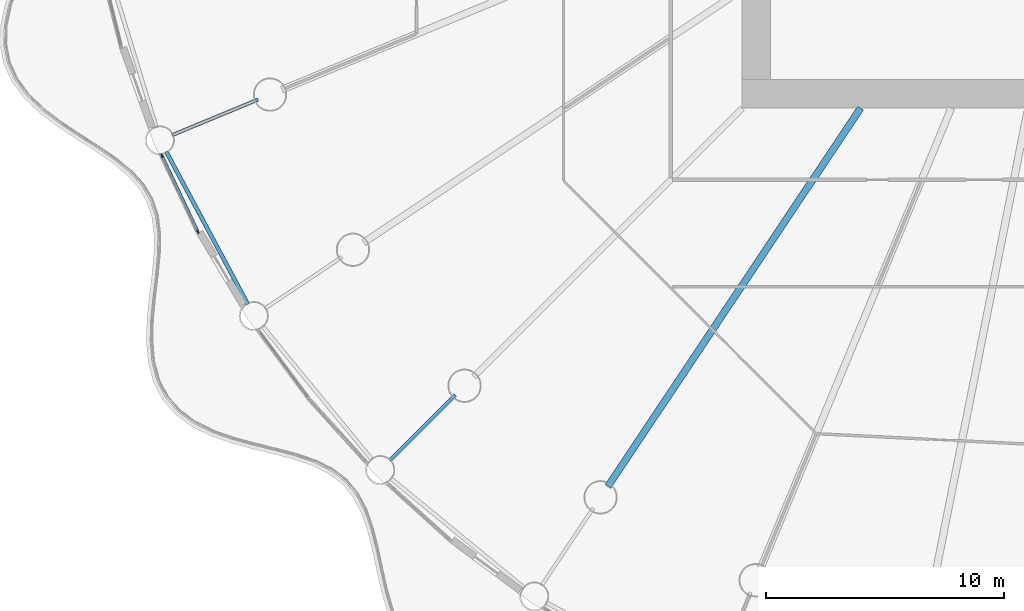
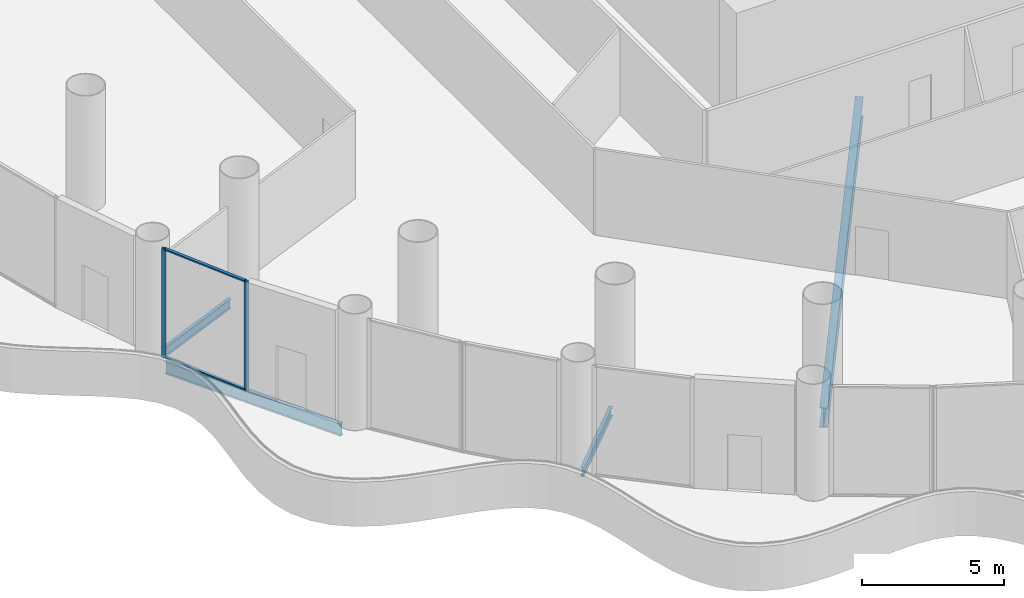
# One storey, part 3 of 35: 4 beams, 4 members, 1 element without a shape of its own.
"""IFC4 building model written with IfcOpenShell, lengths in metres."""

import ifcopenshell
import ifcopenshell.guid

model = None  # the IFC model being written
_history = None  # IfcOwnerHistory: only IFC2X3 demands one
_inside = {}  # id of a spatial element -> (the spatial element, [elements in it])
_under = {}  # id of a project, library or spatial element -> (it, [spatial elements below it])
_declared = {}  # id of a project -> (the project, [libraries it declares])
_typed = {}  # id of a type object -> (the type object, [elements of that type])
_made_of = {}  # id of a material, layer set ... -> (it, [elements and type objects made of it])


def new_model(schema):
    """Start an empty IFC model of exactly this schema.

    Asked for "IFC4X3", IfcOpenShell would pick the latest addendum, in which some entities
    have other attributes; the version numbers below select the first issue.
    IFC2X3 requires an IfcOwnerHistory on every rooted entity: one is made here for all.
    """
    global model, _history
    if schema == "IFC4X3":
        model = ifcopenshell.file(schema_version=(4, 3, 0, 0))
    else:
        model = ifcopenshell.file(schema=schema)
    _inside.clear()
    _under.clear()
    _declared.clear()
    _typed.clear()
    _made_of.clear()
    _history = None
    if model.schema == "IFC2X3":
        org = make("IfcOrganization", Name="unknown")
        user = make(
            "IfcPersonAndOrganization",
            ThePerson=make("IfcPerson", FamilyName="unknown"),
            TheOrganization=org,
        )
        app = make(
            "IfcApplication",
            ApplicationDeveloper=org,
            Version="unknown",
            ApplicationFullName="unknown",
            ApplicationIdentifier="unknown",
        )
        _history = make(
            "IfcOwnerHistory",
            OwningUser=user,
            OwningApplication=app,
            ChangeAction="ADDED",
            CreationDate=0,
        )
    return model


def make(cls, **values):
    """One entity of the class cls with the attributes given. An attribute that is None is left unset."""
    return model.create_entity(
        cls, **{name: value for name, value in values.items() if value is not None}
    )


def rooted(cls, **values):
    """An entity with a GlobalId (a new one), such as an element, a storey or a relation."""
    return make(cls, GlobalId=ifcopenshell.guid.new(), OwnerHistory=_history, **values)


def si_unit(unit_type, name, prefix=None):
    """IfcSIUnit, for example si_unit("LENGTHUNIT", "METRE", prefix="MILLI")."""
    return make("IfcSIUnit", UnitType=unit_type, Prefix=prefix, Name=name)


def assignment(units):
    """IfcUnitAssignment: the units of a project."""
    return None if units is None else make("IfcUnitAssignment", Units=units)


def point(xyz):
    """IfcCartesianPoint."""
    return None if xyz is None else make("IfcCartesianPoint", Coordinates=xyz)


def direction(xyz):
    """IfcDirection."""
    return None if xyz is None else make("IfcDirection", DirectionRatios=xyz)


def frame(location, z_axis=None, x_axis=None):
    """IfcAxis2Placement3D, a coordinate frame: its origin and axes. An axis left out is left unset."""
    return make(
        "IfcAxis2Placement3D",
        Location=point(location),
        Axis=direction(z_axis),
        RefDirection=direction(x_axis),
    )


def frame_2d(location, x_axis=None):
    """IfcAxis2Placement2D, a coordinate frame in the plane: its origin and x axis."""
    return make(
        "IfcAxis2Placement2D", Location=point(location), RefDirection=direction(x_axis)
    )


def origin():
    """The frame at (0, 0, 0) with its axes left unset."""
    return frame((0.0, 0.0, 0.0))


def origin_2d():
    """The frame at (0, 0) in the plane with its x axis left unset."""
    return frame_2d((0.0, 0.0))


def place(relative_to, where):
    """IfcLocalPlacement: puts the frame where relative to a parent placement (None: the world)."""
    return make(
        "IfcLocalPlacement", PlacementRelTo=relative_to, RelativePlacement=where
    )


def context(
    kind, dimensions, precision=None, world=None, true_north=None, identifier=None
):
    """IfcGeometricRepresentationContext, for example the 3D "Model" context."""
    return make(
        "IfcGeometricRepresentationContext",
        ContextIdentifier=identifier,
        ContextType=kind,
        CoordinateSpaceDimension=dimensions,
        Precision=precision,
        WorldCoordinateSystem=world,
        TrueNorth=true_north,
    )


def subcontext(parent, identifier, kind, view, scale=None):
    """IfcGeometricRepresentationSubContext, for example "Body" below "Model"."""
    return make(
        "IfcGeometricRepresentationSubContext",
        ContextIdentifier=identifier,
        ContextType=kind,
        ParentContext=parent,
        TargetScale=scale,
        TargetView=view,
    )


def project(units=None, contexts=None):
    """IfcProject with its units and contexts."""
    return rooted(
        "IfcProject",
        Name="project",
        RepresentationContexts=contexts,
        UnitsInContext=assignment(units),
    )


def spatial(cls, under=None, at=None, **own):
    """A site, building, storey or space (cls), placed at a placement, below another one or the project."""
    s = rooted(cls, ObjectPlacement=at, **own)
    if under is not None:
        _under.setdefault(under.id(), (under, []))[1].append(s)
    return s


def profile(cls, at=None, kind="AREA", **sizes):
    """A parametric profile (cls). Its sizes go by their IFC names, for example OverallWidth=200.0."""
    return make(cls, ProfileType=kind, Position=at, **sizes)


def rectangle(**sizes):
    """IfcRectangleProfileDef."""
    return profile("IfcRectangleProfileDef", **sizes)


def i_section(**sizes):
    """IfcIShapeProfileDef."""
    return profile("IfcIShapeProfileDef", **sizes)


def extrude(swept, where, along, depth):
    """IfcExtrudedAreaSolid: the profile swept, set in the frame where, extruded along a direction by depth."""
    return make(
        "IfcExtrudedAreaSolid",
        SweptArea=swept,
        Position=where,
        ExtrudedDirection=direction(along),
        Depth=depth,
    )


def shape(context_of_items, identifier, shape_type, items):
    """IfcShapeRepresentation: the items that make up one representation, for example the "Body"."""
    return make(
        "IfcShapeRepresentation",
        ContextOfItems=context_of_items,
        RepresentationIdentifier=identifier,
        RepresentationType=shape_type,
        Items=items,
    )


def material(Name=None, Category=None):
    """IfcMaterial."""
    return make("IfcMaterial", Name=Name, Category=Category)


def material_profile(
    of_material, cross_section, Name=None, Category=None, Priority=None
):
    """IfcMaterialProfile: a cross section and its material."""
    return make(
        "IfcMaterialProfile",
        Name=Name,
        Material=of_material,
        Profile=cross_section,
        Priority=Priority,
        Category=Category,
    )


def profile_set(profiles, Name=None, composite=None):
    """IfcMaterialProfileSet."""
    return make(
        "IfcMaterialProfileSet",
        Name=Name,
        MaterialProfiles=profiles,
        CompositeProfile=composite,
    )


def made_of(thing, what):
    """Note that an element or type object is made of a material, layer set ...; save() writes the relation."""
    if what is not None:
        _made_of.setdefault(what.id(), (what, []))[1].append(thing)
    return thing


def type_object(cls, material=None, **own):
    """A type object (cls), such as IfcWallType, which elements share."""
    return made_of(rooted(cls, **own), material)


def element(
    cls,
    number,
    at=None,
    inside=None,
    cuts=None,
    type_object=None,
    material=None,
    context=None,
    identifier="Body",
    shape_type=None,
    held_by="IfcProductDefinitionShape",
    body=None,
    shapes=None,
    **own,
):
    """One element of the class cls, such as IfcWall. Its Tag is "e" and its number.

    at: its placement. inside: the storey or other place that contains it. cuts: it is an
    opening in that element (IfcRelVoidsElement). A single representation is given by context,
    identifier, shape_type and body (its items); several are given by shapes. held_by: the class
    of the entity that holds the representations. save() writes the other relations.
    """
    e = rooted(cls, Tag="e%d" % number, ObjectPlacement=at, **own)
    if body is not None:
        shapes = [shape(context, identifier, shape_type, body)]
    if shapes is not None:
        e.Representation = make(held_by, Representations=shapes)
    if inside is not None:
        _inside.setdefault(inside.id(), (inside, []))[1].append(e)
    if cuts is not None:
        rooted(
            "IfcRelVoidsElement", RelatingBuildingElement=cuts, RelatedOpeningElement=e
        )
    if type_object is not None:
        _typed.setdefault(type_object.id(), (type_object, []))[1].append(e)
    return made_of(e, material)


def aggregate(whole, parts):
    """IfcRelAggregates: a whole, such as a stair, and the parts it consists of."""
    return rooted("IfcRelAggregates", RelatingObject=whole, RelatedObjects=parts)


def save(model, path):
    """Write the relations noted so far, then the file.

    IfcRelAggregates (storeys below a building ...), IfcRelContainedInSpatialStructure (elements
    in a storey), IfcRelDefinesByType, IfcRelAssociatesMaterial and IfcRelDeclares: one each for
    every whole, place, type object, material and project.
    """
    for whole, parts in _under.values():
        aggregate(whole, parts)
    for where, things in _inside.values():
        rooted(
            "IfcRelContainedInSpatialStructure",
            RelatedElements=things,
            RelatingStructure=where,
        )
    for kind, things in _typed.values():
        rooted("IfcRelDefinesByType", RelatedObjects=things, RelatingType=kind)
    for what, things in _made_of.values():
        rooted("IfcRelAssociatesMaterial", RelatedObjects=things, RelatingMaterial=what)
    for by, libraries in _declared.values():
        rooted("IfcRelDeclares", RelatingContext=by, RelatedDefinitions=libraries)
    model.write(path)


model = new_model("IFC4")

# Units and contexts
model_context = context("Model", 3, precision=1e-05, world=origin(), true_north=direction((0.0, 1.0)))
body_context = subcontext(model_context, "Body", "Model", "MODEL_VIEW")
ifc_project = project(units=[si_unit("LENGTHUNIT", "METRE"), si_unit("AREAUNIT", "SQUARE_METRE"), si_unit("VOLUMEUNIT", "CUBIC_METRE"), si_unit("PLANEANGLEUNIT", "RADIAN"), si_unit("MASSUNIT", "GRAM", prefix="KILO")], contexts=[model_context])

# Site, building, storey
site_placement = place(None, origin())
site = spatial("IfcSite", under=ifc_project, at=site_placement, CompositionType="ELEMENT")
building_placement = place(site_placement, origin())
building = spatial("IfcBuilding", under=site, at=building_placement, Name="Corvane Civic Tower", CompositionType="ELEMENT")
storey_placement = place(building_placement, frame((0.0, 0.0, 27.0)))
storey = spatial("IfcBuildingStorey", under=building, at=storey_placement, Name="L05", CompositionType="ELEMENT", Elevation=27.0)

# Beams
ifc_material_1 = material(Name="Steel ASTM A992 Gr 50", Category="steel")
ifc_material_profile_1 = material_profile(ifc_material_1, i_section(OverallWidth=0.165771484375, OverallDepth=0.5283203125, WebThickness=0.009765625, FlangeThickness=0.013671875, at=origin_2d()), Name="W21X50")
ifc_profile_set_1 = profile_set([ifc_material_profile_1], Name="Steel ASTM A992 Gr 50")
beam_type_1 = type_object("IfcBeamType", Name="EDGE BEAM W21X50", PredefinedType="BEAM", material=ifc_profile_set_1)
beam_1_placement = place(storey_placement, frame((-35.762939453125, -23.23779296875, -0.564208984375), z_axis=(-0.471412394598, 0.881912894916, 0.0), x_axis=(-0.881912894916, -0.471412394598, 0.0)))
element("IfcBeam", 1, at=beam_1_placement, inside=storey, type_object=beam_type_1, Name="BM-L05-E22", PredefinedType="BEAM", context=body_context, shape_type="SweptSolid", body=[
    extrude(i_section(OverallWidth=0.165771484375, OverallDepth=0.5283203125, WebThickness=0.009765625, FlangeThickness=0.013671875, at=origin_2d()), origin(), (0.0, 0.0, 1.0), 7.270751953125),
])
ifc_material_2 = material(Name="Steel ASTM A992 Gr 50", Category="steel")
ifc_material_profile_2 = material_profile(ifc_material_2, i_section(OverallWidth=0.140380859375, OverallDepth=0.40380859375, WebThickness=0.007080078125, FlangeThickness=0.01123046875, at=origin_2d()), Name="W16X31")
ifc_profile_set_2 = profile_set([ifc_material_profile_2], Name="Steel ASTM A992 Gr 50")
beam_type_2 = type_object("IfcBeamType", Name="FLOOR GIRDER W16X31", PredefinedType="BEAM", material=ifc_profile_set_2)
for number, where, z_axis, x_axis, name in (
    (2, (-27.046875, -27.046875, -0.501953125), (-0.707106781187, -0.707106781187, 0.0), (0.707106781187, -0.707106781187, 0.0), "BM-L05-G21b"),
    (3, (-35.33837890625, -14.6376953125, -0.501953125), (-0.923878730261, -0.382685369162, 0.0), (0.382685369162, -0.923878730261, 0.0), "BM-L05-G23b"),
):
    element("IfcBeam", number, at=place(storey_placement, frame(where, z_axis=z_axis, x_axis=x_axis)), inside=storey, type_object=beam_type_2, Name=name, PredefinedType="BEAM", context=body_context, shape_type="SweptSolid", body=[
        extrude(i_section(OverallWidth=0.140380859375, OverallDepth=0.40380859375, WebThickness=0.007080078125, FlangeThickness=0.01123046875, at=origin_2d()), origin(), (0.0, 0.0, 1.0), 3.89990234375),
    ])
ifc_material_3 = material(Name="Steel ASTM A992 Gr 50", Category="steel")
ifc_material_profile_3 = material_profile(ifc_material_3, i_section(OverallWidth=0.2919921875, OverallDepth=0.845703125, WebThickness=0.015380859375, FlangeThickness=0.0244140625, at=origin_2d()), Name="W33X141")
ifc_profile_set_3 = profile_set([ifc_material_profile_3], Name="Steel ASTM A992 Gr 50")
beam_type_3 = type_object("IfcBeamType", Name="FLOOR GIRDER W33X141", PredefinedType="BEAM", material=ifc_profile_set_3)
beam_2_placement = place(storey_placement, frame((-10.022705078125, -15.0, -0.722900390625), z_axis=(-0.555566681385, -0.831471985418, 0.0), x_axis=(0.831471985418, -0.555566681385, 0.0)))
element("IfcBeam", 4, at=beam_2_placement, inside=storey, type_object=beam_type_3, Name="BM-L05-G20", PredefinedType="BEAM", context=body_context, shape_type="SweptSolid", body=[
    extrude(i_section(OverallWidth=0.2919921875, OverallDepth=0.845703125, WebThickness=0.015380859375, FlangeThickness=0.0244140625, at=origin_2d()), origin(), (0.0, 0.0, 1.0), 19.109619140625),
])

# Curtain wall, members
ifc_material_4 = material(Name="Aluminium and glass", Category="aluminium")
curtain_wall_type = type_object("IfcCurtainWallType", Name="PODIUM-CW-P-RUN", PredefinedType="NOTDEFINED", material=ifc_material_4)
curtain_wall_placement = place(storey_placement, origin())
curtain_wall = element("IfcCurtainWall", 5, at=curtain_wall_placement, inside=storey, type_object=curtain_wall_type, Name="PODI run L05-drum-22B", PredefinedType="NOTDEFINED")
ifc_material_5 = material(Name="Anodised aluminium bronze", Category="aluminium")
ifc_material_profile_4 = material_profile(ifc_material_5, rectangle(XDim=0.06005859375, YDim=0.159912109375, at=origin_2d()), Name="AL 60x160")
ifc_profile_set_4 = profile_set([ifc_material_profile_4], Name="Anodised aluminium bronze")
member_type_1 = type_object("IfcMemberType", Name="PODIUM-CWP-MULLION-60x160", PredefinedType="MULLION", material=ifc_profile_set_4)
member_1_placement = place(storey_placement, frame((-37.862548828125, -20.186279296875, 0.0), z_axis=(0.0, 0.0, 1.0), x_axis=(-0.903990222454, -0.42755312852, 0.0)))
member_1 = element("IfcMember", 6, at=member_1_placement, type_object=member_type_1, Name="CW-P mullion 1", PredefinedType="MULLION", context=body_context, shape_type="SweptSolid", body=[
    extrude(rectangle(XDim=0.06005859375, YDim=0.159912109375, at=origin_2d()), origin(), (0.0, 0.0, 1.0), 4.699951171875),
])
member_2_placement = place(storey_placement, frame((-39.36767578125, -17.00439453125, 0.0), z_axis=(0.0, 0.0, 1.0), x_axis=(-0.903990222454, -0.42755312852, 0.0)))
member_2 = element("IfcMember", 7, at=member_2_placement, type_object=member_type_1, Name="CW-P mullion 2", PredefinedType="MULLION", context=body_context, shape_type="SweptSolid", body=[
    extrude(rectangle(XDim=0.06005859375, YDim=0.159912109375, at=origin_2d()), origin(), (0.0, 0.0, 1.0), 4.699951171875),
])
ifc_material_6 = material(Name="Anodised aluminium bronze", Category="aluminium")
ifc_material_profile_5 = material_profile(ifc_material_6, rectangle(XDim=0.1201171875, YDim=0.06005859375, at=origin_2d()), Name="AL 120x60")
ifc_profile_set_5 = profile_set([ifc_material_profile_5], Name="Anodised aluminium bronze")
member_type_2 = type_object("IfcMemberType", Name="PODIUM-CWP-TRANSOM-60x120", PredefinedType="USERDEFINED", material=ifc_profile_set_5)
member_3_placement = place(storey_placement, frame((-37.87548828125, -20.1591796875, 0.030029296875), z_axis=(-0.427546343166, 0.903993431638, 0.0), x_axis=(-0.903993431638, -0.427546343166, 0.0)))
member_3 = element("IfcMember", 8, at=member_3_placement, type_object=member_type_2, Name="CW-P transom 1.1", ObjectType="TRANSOM", PredefinedType="USERDEFINED", context=body_context, shape_type="SweptSolid", body=[
    extrude(rectangle(XDim=0.1201171875, YDim=0.06005859375, at=origin_2d()), origin(), (0.0, 0.0, 1.0), 3.4599609375),
])
member_4_placement = place(storey_placement, frame((-37.87548828125, -20.1591796875, 4.669921875), z_axis=(-0.427546343166, 0.903993431638, 0.0), x_axis=(-0.903993431638, -0.427546343166, 0.0)))
member_4 = element("IfcMember", 9, at=member_4_placement, type_object=member_type_2, Name="CW-P transom 1.2", ObjectType="TRANSOM", PredefinedType="USERDEFINED", context=body_context, shape_type="SweptSolid", body=[
    extrude(rectangle(XDim=0.1201171875, YDim=0.06005859375, at=origin_2d()), origin(), (0.0, 0.0, 1.0), 3.4599609375),
])
aggregate(curtain_wall, [member_1, member_2, member_3, member_4])

save(model, "model.ifc")
